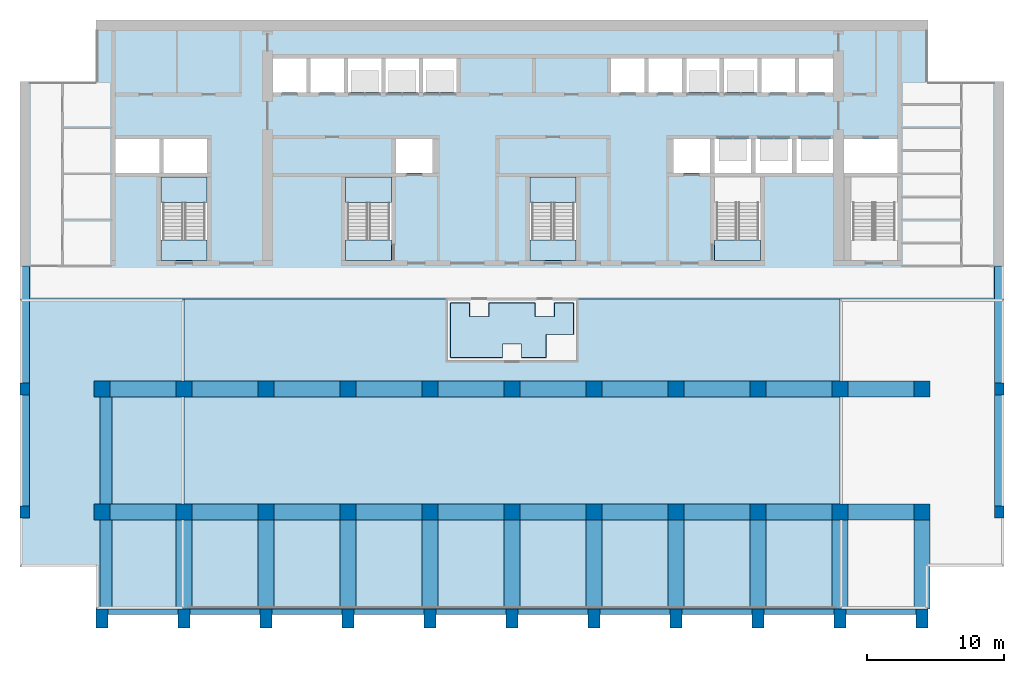
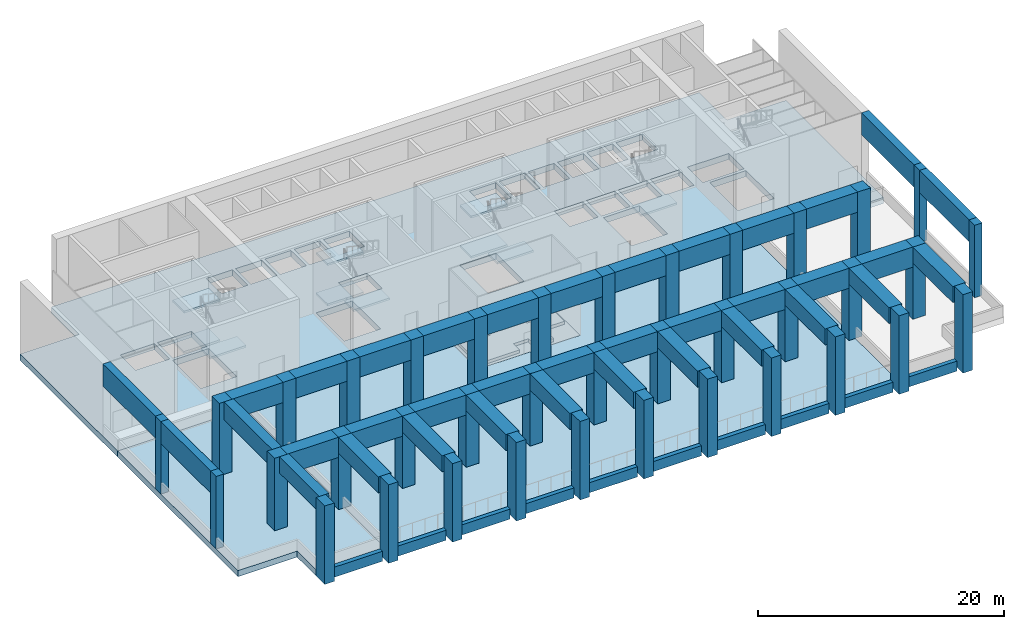
# One storey, part 1 of 10: 46 beams, 37 columns, 14 slabs, 4 elements without a shape of their own.
"""IFC4 building model written with IfcOpenShell, lengths in metres."""

import ifcopenshell
import ifcopenshell.guid

model = None  # the IFC model being written
_history = None  # IfcOwnerHistory: only IFC2X3 demands one
_inside = {}  # id of a spatial element -> (the spatial element, [elements in it])
_under = {}  # id of a project, library or spatial element -> (it, [spatial elements below it])
_declared = {}  # id of a project -> (the project, [libraries it declares])
_typed = {}  # id of a type object -> (the type object, [elements of that type])
_made_of = {}  # id of a material, layer set ... -> (it, [elements and type objects made of it])


def new_model(schema):
    """Start an empty IFC model of exactly this schema.

    Asked for "IFC4X3", IfcOpenShell would pick the latest addendum, in which some entities
    have other attributes; the version numbers below select the first issue.
    IFC2X3 requires an IfcOwnerHistory on every rooted entity: one is made here for all.
    """
    global model, _history
    if schema == "IFC4X3":
        model = ifcopenshell.file(schema_version=(4, 3, 0, 0))
    else:
        model = ifcopenshell.file(schema=schema)
    _inside.clear()
    _under.clear()
    _declared.clear()
    _typed.clear()
    _made_of.clear()
    _history = None
    if model.schema == "IFC2X3":
        org = make("IfcOrganization", Name="unknown")
        user = make(
            "IfcPersonAndOrganization",
            ThePerson=make("IfcPerson", FamilyName="unknown"),
            TheOrganization=org,
        )
        app = make(
            "IfcApplication",
            ApplicationDeveloper=org,
            Version="unknown",
            ApplicationFullName="unknown",
            ApplicationIdentifier="unknown",
        )
        _history = make(
            "IfcOwnerHistory",
            OwningUser=user,
            OwningApplication=app,
            ChangeAction="ADDED",
            CreationDate=0,
        )
    return model


def make(cls, **values):
    """One entity of the class cls with the attributes given. An attribute that is None is left unset."""
    return model.create_entity(
        cls, **{name: value for name, value in values.items() if value is not None}
    )


def rooted(cls, **values):
    """An entity with a GlobalId (a new one), such as an element, a storey or a relation."""
    return make(cls, GlobalId=ifcopenshell.guid.new(), OwnerHistory=_history, **values)


def si_unit(unit_type, name, prefix=None):
    """IfcSIUnit, for example si_unit("LENGTHUNIT", "METRE", prefix="MILLI")."""
    return make("IfcSIUnit", UnitType=unit_type, Prefix=prefix, Name=name)


def assignment(units):
    """IfcUnitAssignment: the units of a project."""
    return None if units is None else make("IfcUnitAssignment", Units=units)


def point(xyz):
    """IfcCartesianPoint."""
    return None if xyz is None else make("IfcCartesianPoint", Coordinates=xyz)


def direction(xyz):
    """IfcDirection."""
    return None if xyz is None else make("IfcDirection", DirectionRatios=xyz)


def frame(location, z_axis=None, x_axis=None):
    """IfcAxis2Placement3D, a coordinate frame: its origin and axes. An axis left out is left unset."""
    return make(
        "IfcAxis2Placement3D",
        Location=point(location),
        Axis=direction(z_axis),
        RefDirection=direction(x_axis),
    )


def frame_2d(location, x_axis=None):
    """IfcAxis2Placement2D, a coordinate frame in the plane: its origin and x axis."""
    return make(
        "IfcAxis2Placement2D", Location=point(location), RefDirection=direction(x_axis)
    )


def origin():
    """The frame at (0, 0, 0) with its axes left unset."""
    return frame((0.0, 0.0, 0.0))


def origin_2d():
    """The frame at (0, 0) in the plane with its x axis left unset."""
    return frame_2d((0.0, 0.0))


def place(relative_to, where):
    """IfcLocalPlacement: puts the frame where relative to a parent placement (None: the world)."""
    return make(
        "IfcLocalPlacement", PlacementRelTo=relative_to, RelativePlacement=where
    )


def context(
    kind, dimensions, precision=None, world=None, true_north=None, identifier=None
):
    """IfcGeometricRepresentationContext, for example the 3D "Model" context."""
    return make(
        "IfcGeometricRepresentationContext",
        ContextIdentifier=identifier,
        ContextType=kind,
        CoordinateSpaceDimension=dimensions,
        Precision=precision,
        WorldCoordinateSystem=world,
        TrueNorth=true_north,
    )


def subcontext(parent, identifier, kind, view, scale=None):
    """IfcGeometricRepresentationSubContext, for example "Body" below "Model"."""
    return make(
        "IfcGeometricRepresentationSubContext",
        ContextIdentifier=identifier,
        ContextType=kind,
        ParentContext=parent,
        TargetScale=scale,
        TargetView=view,
    )


def project(units=None, contexts=None):
    """IfcProject with its units and contexts."""
    return rooted(
        "IfcProject",
        Name="project",
        RepresentationContexts=contexts,
        UnitsInContext=assignment(units),
    )


def spatial(cls, under=None, at=None, **own):
    """A site, building, storey or space (cls), placed at a placement, below another one or the project."""
    s = rooted(cls, ObjectPlacement=at, **own)
    if under is not None:
        _under.setdefault(under.id(), (under, []))[1].append(s)
    return s


def polyline(points):
    """IfcPolyline through the points."""
    return make("IfcPolyline", Points=[point(p) for p in points])


def profile(cls, at=None, kind="AREA", **sizes):
    """A parametric profile (cls). Its sizes go by their IFC names, for example OverallWidth=200.0."""
    return make(cls, ProfileType=kind, Position=at, **sizes)


def rectangle(**sizes):
    """IfcRectangleProfileDef."""
    return profile("IfcRectangleProfileDef", **sizes)


def outline(outer, holes=None, kind="AREA"):
    """IfcArbitraryClosedProfileDef: a profile drawn as a closed curve; with holes, ...WithVoids."""
    if holes is None:
        return make("IfcArbitraryClosedProfileDef", ProfileType=kind, OuterCurve=outer)
    return make(
        "IfcArbitraryProfileDefWithVoids",
        ProfileType=kind,
        OuterCurve=outer,
        InnerCurves=holes,
    )


def extrude(swept, where, along, depth):
    """IfcExtrudedAreaSolid: the profile swept, set in the frame where, extruded along a direction by depth."""
    return make(
        "IfcExtrudedAreaSolid",
        SweptArea=swept,
        Position=where,
        ExtrudedDirection=direction(along),
        Depth=depth,
    )


def shape(context_of_items, identifier, shape_type, items):
    """IfcShapeRepresentation: the items that make up one representation, for example the "Body"."""
    return make(
        "IfcShapeRepresentation",
        ContextOfItems=context_of_items,
        RepresentationIdentifier=identifier,
        RepresentationType=shape_type,
        Items=items,
    )


def material(Name=None, Category=None):
    """IfcMaterial."""
    return make("IfcMaterial", Name=Name, Category=Category)


def layer(
    of_material, thickness, ventilated=None, Name=None, Category=None, Priority=None
):
    """IfcMaterialLayer: one layer of a wall or slab, of a material (None: an air gap)."""
    return make(
        "IfcMaterialLayer",
        Material=of_material,
        LayerThickness=thickness,
        IsVentilated=ventilated,
        Name=Name,
        Category=Category,
        Priority=Priority,
    )


def layer_set(layers, Name=None):
    """IfcMaterialLayerSet."""
    return make("IfcMaterialLayerSet", MaterialLayers=layers, LayerSetName=Name)


def material_profile(
    of_material, cross_section, Name=None, Category=None, Priority=None
):
    """IfcMaterialProfile: a cross section and its material."""
    return make(
        "IfcMaterialProfile",
        Name=Name,
        Material=of_material,
        Profile=cross_section,
        Priority=Priority,
        Category=Category,
    )


def profile_set(profiles, Name=None, composite=None):
    """IfcMaterialProfileSet."""
    return make(
        "IfcMaterialProfileSet",
        Name=Name,
        MaterialProfiles=profiles,
        CompositeProfile=composite,
    )


def made_of(thing, what):
    """Note that an element or type object is made of a material, layer set ...; save() writes the relation."""
    if what is not None:
        _made_of.setdefault(what.id(), (what, []))[1].append(thing)
    return thing


def type_object(cls, material=None, **own):
    """A type object (cls), such as IfcWallType, which elements share."""
    return made_of(rooted(cls, **own), material)


def element(
    cls,
    number,
    at=None,
    inside=None,
    cuts=None,
    type_object=None,
    material=None,
    context=None,
    identifier="Body",
    shape_type=None,
    held_by="IfcProductDefinitionShape",
    body=None,
    shapes=None,
    **own,
):
    """One element of the class cls, such as IfcWall. Its Tag is "e" and its number.

    at: its placement. inside: the storey or other place that contains it. cuts: it is an
    opening in that element (IfcRelVoidsElement). A single representation is given by context,
    identifier, shape_type and body (its items); several are given by shapes. held_by: the class
    of the entity that holds the representations. save() writes the other relations.
    """
    e = rooted(cls, Tag="e%d" % number, ObjectPlacement=at, **own)
    if body is not None:
        shapes = [shape(context, identifier, shape_type, body)]
    if shapes is not None:
        e.Representation = make(held_by, Representations=shapes)
    if inside is not None:
        _inside.setdefault(inside.id(), (inside, []))[1].append(e)
    if cuts is not None:
        rooted(
            "IfcRelVoidsElement", RelatingBuildingElement=cuts, RelatedOpeningElement=e
        )
    if type_object is not None:
        _typed.setdefault(type_object.id(), (type_object, []))[1].append(e)
    return made_of(e, material)


def aggregate(whole, parts):
    """IfcRelAggregates: a whole, such as a stair, and the parts it consists of."""
    return rooted("IfcRelAggregates", RelatingObject=whole, RelatedObjects=parts)


def save(model, path):
    """Write the relations noted so far, then the file.

    IfcRelAggregates (storeys below a building ...), IfcRelContainedInSpatialStructure (elements
    in a storey), IfcRelDefinesByType, IfcRelAssociatesMaterial and IfcRelDeclares: one each for
    every whole, place, type object, material and project.
    """
    for whole, parts in _under.values():
        aggregate(whole, parts)
    for where, things in _inside.values():
        rooted(
            "IfcRelContainedInSpatialStructure",
            RelatedElements=things,
            RelatingStructure=where,
        )
    for kind, things in _typed.values():
        rooted("IfcRelDefinesByType", RelatedObjects=things, RelatingType=kind)
    for what, things in _made_of.values():
        rooted("IfcRelAssociatesMaterial", RelatedObjects=things, RelatingMaterial=what)
    for by, libraries in _declared.values():
        rooted("IfcRelDeclares", RelatingContext=by, RelatedDefinitions=libraries)
    model.write(path)


model = new_model("IFC4")

# Units and contexts
model_context = context("Model", 3, precision=1e-05, world=origin(), true_north=direction((0.0, 1.0)))
body_context = subcontext(model_context, "Body", "Model", "MODEL_VIEW")
ifc_project = project(units=[si_unit("LENGTHUNIT", "METRE"), si_unit("AREAUNIT", "SQUARE_METRE"), si_unit("VOLUMEUNIT", "CUBIC_METRE"), si_unit("PLANEANGLEUNIT", "RADIAN"), si_unit("MASSUNIT", "GRAM", prefix="KILO")], contexts=[model_context])

# Site, building, storey
site_placement = place(None, origin())
site = spatial("IfcSite", under=ifc_project, at=site_placement, CompositionType="ELEMENT")
building_placement = place(site_placement, origin())
building = spatial("IfcBuilding", under=site, at=building_placement, Name="Calvaro Tower", CompositionType="ELEMENT")
storey_placement = place(building_placement, frame((0.0, 0.0, 158.75)))
storey = spatial("IfcBuildingStorey", under=building, at=storey_placement, Name="L40", CompositionType="ELEMENT", Elevation=158.75)

# Columns
ifc_material_1 = material(Name="Concrete C60/75", Category="concrete")
ifc_material_profile_1 = material_profile(ifc_material_1, rectangle(XDim=1.199951171875, YDim=1.199951171875, at=origin_2d()), Name="RC 1200x1200")
ifc_profile_set_1 = profile_set([ifc_material_profile_1], Name="Concrete C60/75")
column_type_1 = type_object("IfcColumnType", Name="Column 1200x1200 C60/75", PredefinedType="COLUMN", material=ifc_profile_set_1)
for number, where, z_axis, x_axis, name in (
    (1, (6.0, 10.0, 0.0), (0.0, 0.0, 1.0), (1.0, 0.0, 0.0), "Column 2B"),
    (2, (6.0, 19.0, 0.0), (0.0, 0.0, 1.0), (1.0, 0.0, 0.0), "Column 2C"),
    (3, (12.0, 10.0, 0.0), (0.0, 0.0, 1.0), (1.0, 0.0, 0.0), "Column 3B"),
    (4, (12.0, 19.0, 0.0), (0.0, 0.0, 1.0), (1.0, 0.0, 0.0), "Column 3C"),
    (5, (18.0, 10.0, 0.0), (0.0, 0.0, 1.0), (1.0, 0.0, 0.0), "Column 4B"),
    (6, (18.0, 19.0, 0.0), (0.0, 0.0, 1.0), (1.0, 0.0, 0.0), "Column 4C"),
    (7, (24.0, 10.0, 0.0), (0.0, 0.0, 1.0), (1.0, 0.0, 0.0), "Column 5B"),
    (8, (24.0, 19.0, 0.0), (0.0, 0.0, 1.0), (1.0, 0.0, 0.0), "Column 5C"),
    (9, (30.0, 10.0, 0.0), (0.0, 0.0, 1.0), (1.0, 0.0, 0.0), "Column 6B"),
    (10, (30.0, 19.0, 0.0), (0.0, 0.0, 1.0), (1.0, 0.0, 0.0), "Column 6C"),
    (11, (36.0, 10.0, 0.0), (0.0, 0.0, 1.0), (1.0, 0.0, 0.0), "Column 7B"),
    (12, (36.0, 19.0, 0.0), (0.0, 0.0, 1.0), (1.0, 0.0, 0.0), "Column 7C"),
    (13, (42.0, 10.0, 0.0), (0.0, 0.0, 1.0), (1.0, 0.0, 0.0), "Column 8B"),
    (14, (42.0, 19.0, 0.0), (0.0, 0.0, 1.0), (1.0, 0.0, 0.0), "Column 8C"),
    (15, (48.0, 10.0, 0.0), (0.0, 0.0, 1.0), (1.0, 0.0, 0.0), "Column 9B"),
    (16, (48.0, 19.0, 0.0), (0.0, 0.0, 1.0), (1.0, 0.0, 0.0), "Column 9C"),
    (17, (54.0, 10.0, 0.0), (0.0, 0.0, 1.0), (1.0, 0.0, 0.0), "Column 10B"),
    (18, (54.0, 19.0, 0.0), (0.0, 0.0, 1.0), (1.0, 0.0, 0.0), "Column 10C"),
    (19, (60.0, 10.0, 0.0), (0.0, 0.0, 1.0), (1.0, 0.0, 0.0), "Column 11B"),
    (20, (60.0, 19.0, 0.0), (0.0, 0.0, 1.0), (1.0, 0.0, 0.0), "Column 11C"),
    (21, (66.0, 10.0, 0.0), (0.0, 0.0, 1.0), (1.0, 0.0, 0.0), "Column 12B"),
    (22, (66.0, 19.0, 0.0), (0.0, 0.0, 1.0), (1.0, 0.0, 0.0), "Column 12C"),
):
    element("IfcColumn", number, at=place(storey_placement, frame(where, z_axis=z_axis, x_axis=x_axis)), inside=storey, type_object=column_type_1, Name=name, PredefinedType="COLUMN", context=body_context, shape_type="SweptSolid", body=[
        extrude(rectangle(XDim=1.199951171875, YDim=1.199951171875, at=origin_2d()), origin(), (0.0, 0.0, 1.0), 7.199951171875),
    ])
ifc_material_2 = material(Name="Concrete C60/75", Category="concrete")
ifc_material_profile_2 = material_profile(ifc_material_2, rectangle(XDim=0.89990234375, YDim=1.39990234375, at=origin_2d()), Name="RC 900x1400")
ifc_profile_set_2 = profile_set([ifc_material_profile_2], Name="Concrete C60/75")
column_type_2 = type_object("IfcColumnType", Name="Pier 900x1400 C60/75", PredefinedType="COLUMN", material=ifc_profile_set_2)
for number, where, z_axis, x_axis, name in (
    (23, (6.0, 2.199951171875, -0.60009765625), (0.0, 0.0, 1.0), (1.0, 0.0, 0.0), "South pier 2"),
    (24, (12.0, 2.199951171875, -0.60009765625), (0.0, 0.0, 1.0), (1.0, 0.0, 0.0), "South pier 3"),
    (25, (18.0, 2.199951171875, -0.60009765625), (0.0, 0.0, 1.0), (1.0, 0.0, 0.0), "South pier 4"),
    (26, (24.0, 2.199951171875, -0.60009765625), (0.0, 0.0, 1.0), (1.0, 0.0, 0.0), "South pier 5"),
    (27, (30.0, 2.199951171875, -0.60009765625), (0.0, 0.0, 1.0), (1.0, 0.0, 0.0), "South pier 6"),
    (28, (36.0, 2.199951171875, -0.60009765625), (0.0, 0.0, 1.0), (1.0, 0.0, 0.0), "South pier 7"),
    (29, (42.0, 2.199951171875, -0.60009765625), (0.0, 0.0, 1.0), (1.0, 0.0, 0.0), "South pier 8"),
    (30, (48.0, 2.199951171875, -0.60009765625), (0.0, 0.0, 1.0), (1.0, 0.0, 0.0), "South pier 9"),
    (31, (54.0, 2.199951171875, -0.60009765625), (0.0, 0.0, 1.0), (1.0, 0.0, 0.0), "South pier 10"),
    (32, (60.0, 2.199951171875, -0.60009765625), (0.0, 0.0, 1.0), (1.0, 0.0, 0.0), "South pier 11"),
    (33, (66.0, 2.199951171875, -0.60009765625), (0.0, 0.0, 1.0), (1.0, 0.0, 0.0), "South pier 12"),
):
    element("IfcColumn", number, at=place(storey_placement, frame(where, z_axis=z_axis, x_axis=x_axis)), inside=storey, type_object=column_type_2, Name=name, PredefinedType="COLUMN", context=body_context, shape_type="SweptSolid", body=[
        extrude(rectangle(XDim=0.89990234375, YDim=1.39990234375, at=origin_2d()), origin(), (0.0, 0.0, 1.0), 7.800048828125),
    ])
ifc_material_3 = material(Name="Concrete C60/75", Category="concrete")
ifc_material_profile_3 = material_profile(ifc_material_3, rectangle(XDim=0.699951171875, YDim=0.89990234375, at=origin_2d()), Name="RC 700x900")
ifc_profile_set_3 = profile_set([ifc_material_profile_3], Name="Concrete C60/75")
column_type_3 = type_object("IfcColumnType", Name="Portal column 700x900 C60/75", PredefinedType="COLUMN", material=ifc_profile_set_3)
for number, where, z_axis, x_axis, name in (
    (34, (0.35009765625, 10.0, 0.0), (0.0, 0.0, 1.0), (1.0, 0.0, 0.0), "Portal column B"),
    (35, (0.35009765625, 19.0, 0.0), (0.0, 0.0, 1.0), (1.0, 0.0, 0.0), "Portal column C"),
    (36, (71.64990234375, 10.0, 0.0), (0.0, 0.0, 1.0), (1.0, 0.0, 0.0), "Portal column B"),
    (37, (71.64990234375, 19.0, 0.0), (0.0, 0.0, 1.0), (1.0, 0.0, 0.0), "Portal column C"),
):
    element("IfcColumn", number, at=place(storey_placement, frame(where, z_axis=z_axis, x_axis=x_axis)), inside=storey, type_object=column_type_3, Name=name, PredefinedType="COLUMN", context=body_context, shape_type="SweptSolid", body=[
        extrude(rectangle(XDim=0.699951171875, YDim=0.89990234375, at=origin_2d()), origin(), (0.0, 0.0, 1.0), 7.199951171875),
    ])

# Beams
ifc_material_4 = material(Name="Concrete C60/75", Category="concrete")
ifc_material_profile_4 = material_profile(ifc_material_4, rectangle(XDim=1.199951171875, YDim=2.0, at=origin_2d()), Name="RC 1200x2000")
ifc_profile_set_4 = profile_set([ifc_material_profile_4], Name="Concrete C60/75")
beam_type_1 = type_object("IfcBeamType", Name="Belt girder 1200x2000 C60/75", PredefinedType="BEAM", material=ifc_profile_set_4)
for number, where, z_axis, x_axis, name in (
    (38, (6.60009765625, 10.0, 6.199951171875), (1.0, 0.0, 0.0), (0.0, 1.0, 0.0), "Belt girder"),
    (39, (12.60009765625, 10.0, 6.199951171875), (1.0, 0.0, 0.0), (0.0, 1.0, 0.0), "Belt girder"),
    (40, (18.60009765625, 10.0, 6.199951171875), (1.0, 0.0, 0.0), (0.0, 1.0, 0.0), "Belt girder"),
    (41, (24.60009765625, 10.0, 6.199951171875), (1.0, 0.0, 0.0), (0.0, 1.0, 0.0), "Belt girder"),
    (42, (30.60009765625, 10.0, 6.199951171875), (1.0, 0.0, 0.0), (0.0, 1.0, 0.0), "Belt girder"),
    (43, (36.60009765625, 10.0, 6.199951171875), (1.0, 0.0, 0.0), (0.0, 1.0, 0.0), "Belt girder"),
    (44, (42.60009765625, 10.0, 6.199951171875), (1.0, 0.0, 0.0), (0.0, 1.0, 0.0), "Belt girder"),
    (45, (48.60009765625, 10.0, 6.199951171875), (1.0, 0.0, 0.0), (0.0, 1.0, 0.0), "Belt girder"),
    (46, (54.60009765625, 10.0, 6.199951171875), (1.0, 0.0, 0.0), (0.0, 1.0, 0.0), "Belt girder"),
    (47, (60.60009765625, 10.0, 6.199951171875), (1.0, 0.0, 0.0), (0.0, 1.0, 0.0), "Belt girder"),
    (48, (6.60009765625, 19.0, 6.199951171875), (1.0, 0.0, 0.0), (0.0, 1.0, 0.0), "Belt girder"),
    (49, (12.60009765625, 19.0, 6.199951171875), (1.0, 0.0, 0.0), (0.0, 1.0, 0.0), "Belt girder"),
    (50, (18.60009765625, 19.0, 6.199951171875), (1.0, 0.0, 0.0), (0.0, 1.0, 0.0), "Belt girder"),
    (51, (24.60009765625, 19.0, 6.199951171875), (1.0, 0.0, 0.0), (0.0, 1.0, 0.0), "Belt girder"),
    (52, (30.60009765625, 19.0, 6.199951171875), (1.0, 0.0, 0.0), (0.0, 1.0, 0.0), "Belt girder"),
    (53, (36.60009765625, 19.0, 6.199951171875), (1.0, 0.0, 0.0), (0.0, 1.0, 0.0), "Belt girder"),
    (54, (42.60009765625, 19.0, 6.199951171875), (1.0, 0.0, 0.0), (0.0, 1.0, 0.0), "Belt girder"),
    (55, (48.60009765625, 19.0, 6.199951171875), (1.0, 0.0, 0.0), (0.0, 1.0, 0.0), "Belt girder"),
    (56, (54.60009765625, 19.0, 6.199951171875), (1.0, 0.0, 0.0), (0.0, 1.0, 0.0), "Belt girder"),
    (57, (60.60009765625, 19.0, 6.199951171875), (1.0, 0.0, 0.0), (0.0, 1.0, 0.0), "Belt girder"),
):
    element("IfcBeam", number, at=place(storey_placement, frame(where, z_axis=z_axis, x_axis=x_axis)), inside=storey, type_object=beam_type_1, Name=name, PredefinedType="BEAM", context=body_context, shape_type="SweptSolid", body=[
        extrude(rectangle(XDim=1.199951171875, YDim=2.0, at=origin_2d()), origin(), (0.0, 0.0, 1.0), 4.7998046875),
    ])
ifc_material_5 = material(Name="Concrete C60/75", Category="concrete")
ifc_material_profile_5 = material_profile(ifc_material_5, rectangle(XDim=0.699951171875, YDim=2.199951171875, at=origin_2d()), Name="RC 700x2200")
ifc_profile_set_5 = profile_set([ifc_material_profile_5], Name="Concrete C60/75")
beam_type_2 = type_object("IfcBeamType", Name="Portal lintel 700x2200 C60/75", PredefinedType="BEAM", material=ifc_profile_set_5)
beam_1_placement = place(storey_placement, frame((0.35009765625, 10.449951171875, 6.10009765625), z_axis=(0.0, 1.0, 0.0), x_axis=(-1.0, 0.0, 0.0)))
element("IfcBeam", 58, at=beam_1_placement, inside=storey, type_object=beam_type_2, Name="Portal lintel beam", PredefinedType="BEAM", context=body_context, shape_type="SweptSolid", body=[
    extrude(rectangle(XDim=0.699951171875, YDim=2.199951171875, at=origin_2d()), origin(), (0.0, 0.0, 1.0), 8.10009765625),
])
beam_2_placement = place(storey_placement, frame((0.35009765625, 19.449951171875, 6.10009765625), z_axis=(0.0, 1.0, 0.0), x_axis=(-1.0, 0.0, 0.0)))
element("IfcBeam", 59, at=beam_2_placement, inside=storey, type_object=beam_type_2, Name="Portal lintel beam", PredefinedType="BEAM", context=body_context, shape_type="SweptSolid", body=[
    extrude(rectangle(XDim=0.699951171875, YDim=2.199951171875, at=origin_2d()), origin(), (0.0, 0.0, 1.0), 8.550048828125),
])
beam_3_placement = place(storey_placement, frame((71.64990234375, 10.449951171875, 6.10009765625), z_axis=(0.0, 1.0, 0.0), x_axis=(-1.0, 0.0, 0.0)))
element("IfcBeam", 60, at=beam_3_placement, inside=storey, type_object=beam_type_2, Name="Portal lintel beam", PredefinedType="BEAM", context=body_context, shape_type="SweptSolid", body=[
    extrude(rectangle(XDim=0.699951171875, YDim=2.199951171875, at=origin_2d()), origin(), (0.0, 0.0, 1.0), 8.10009765625),
])
beam_4_placement = place(storey_placement, frame((71.64990234375, 19.449951171875, 6.10009765625), z_axis=(0.0, 1.0, 0.0), x_axis=(-1.0, 0.0, 0.0)))
element("IfcBeam", 61, at=beam_4_placement, inside=storey, type_object=beam_type_2, Name="Portal lintel beam", PredefinedType="BEAM", context=body_context, shape_type="SweptSolid", body=[
    extrude(rectangle(XDim=0.699951171875, YDim=2.199951171875, at=origin_2d()), origin(), (0.0, 0.0, 1.0), 8.550048828125),
])
ifc_material_6 = material(Name="Concrete C50/60 precast", Category="concrete")
ifc_material_profile_6 = material_profile(ifc_material_6, rectangle(XDim=0.39990234375, YDim=1.0, at=origin_2d()), Name="RC 400x1000")
ifc_profile_set_6 = profile_set([ifc_material_profile_6], Name="Concrete C50/60 precast")
beam_type_3 = type_object("IfcBeamType", Name="Spandrel beam 400x1000 C50/60", PredefinedType="SPANDREL", material=ifc_profile_set_6)
for number, where, z_axis, x_axis, name in (
    (62, (6.449951171875, 2.699951171875, -0.5), (1.0, 0.0, 0.0), (0.0, 1.0, 0.0), "Spandrel beam"),
    (63, (12.449951171875, 2.699951171875, -0.5), (1.0, 0.0, 0.0), (0.0, 1.0, 0.0), "Spandrel beam"),
    (64, (18.449951171875, 2.699951171875, -0.5), (1.0, 0.0, 0.0), (0.0, 1.0, 0.0), "Spandrel beam"),
    (65, (24.449951171875, 2.699951171875, -0.5), (1.0, 0.0, 0.0), (0.0, 1.0, 0.0), "Spandrel beam"),
    (66, (30.449951171875, 2.699951171875, -0.5), (1.0, 0.0, 0.0), (0.0, 1.0, 0.0), "Spandrel beam"),
    (67, (36.449951171875, 2.699951171875, -0.5), (1.0, 0.0, 0.0), (0.0, 1.0, 0.0), "Spandrel beam"),
    (68, (42.449951171875, 2.699951171875, -0.5), (1.0, 0.0, 0.0), (0.0, 1.0, 0.0), "Spandrel beam"),
    (69, (48.449951171875, 2.699951171875, -0.5), (1.0, 0.0, 0.0), (0.0, 1.0, 0.0), "Spandrel beam"),
    (70, (54.449951171875, 2.699951171875, -0.5), (1.0, 0.0, 0.0), (0.0, 1.0, 0.0), "Spandrel beam"),
    (71, (60.449951171875, 2.699951171875, -0.5), (1.0, 0.0, 0.0), (0.0, 1.0, 0.0), "Spandrel beam"),
):
    element("IfcBeam", number, at=place(storey_placement, frame(where, z_axis=z_axis, x_axis=x_axis)), inside=storey, type_object=beam_type_3, Name=name, PredefinedType="SPANDREL", context=body_context, shape_type="SweptSolid", body=[
        extrude(rectangle(XDim=0.39990234375, YDim=1.0, at=origin_2d()), origin(), (0.0, 0.0, 1.0), 5.10009765625),
    ])
ifc_material_7 = material(Name="Concrete C60/75", Category="concrete")
ifc_material_profile_7 = material_profile(ifc_material_7, rectangle(XDim=1.199951171875, YDim=1.60009765625, at=origin_2d()), Name="RC 1200x1600")
ifc_profile_set_7 = profile_set([ifc_material_profile_7], Name="Concrete C60/75")
beam_type_4 = type_object("IfcBeamType", Name="Transfer girder 1200x1600 C60/75", PredefinedType="BEAM", material=ifc_profile_set_7)
for number, where, z_axis, x_axis, name in (
    (72, (12.0, 2.89990234375, 6.39990234375), (0.0, 1.0, 0.0), (-1.0, 0.0, 0.0), "Transfer girder"),
    (73, (18.0, 2.89990234375, 6.39990234375), (0.0, 1.0, 0.0), (-1.0, 0.0, 0.0), "Transfer girder"),
    (74, (24.0, 2.89990234375, 6.39990234375), (0.0, 1.0, 0.0), (-1.0, 0.0, 0.0), "Transfer girder"),
    (75, (30.0, 2.89990234375, 6.39990234375), (0.0, 1.0, 0.0), (-1.0, 0.0, 0.0), "Transfer girder"),
    (76, (36.0, 2.89990234375, 6.39990234375), (0.0, 1.0, 0.0), (-1.0, 0.0, 0.0), "Transfer girder"),
    (77, (42.0, 2.89990234375, 6.39990234375), (0.0, 1.0, 0.0), (-1.0, 0.0, 0.0), "Transfer girder"),
    (78, (48.0, 2.89990234375, 6.39990234375), (0.0, 1.0, 0.0), (-1.0, 0.0, 0.0), "Transfer girder"),
    (79, (54.0, 2.89990234375, 6.39990234375), (0.0, 1.0, 0.0), (-1.0, 0.0, 0.0), "Transfer girder"),
    (80, (60.0, 2.89990234375, 6.39990234375), (0.0, 1.0, 0.0), (-1.0, 0.0, 0.0), "Transfer girder"),
    (81, (66.0, 2.89990234375, 6.39990234375), (0.0, 1.0, 0.0), (-1.0, 0.0, 0.0), "Transfer girder"),
):
    element("IfcBeam", number, at=place(storey_placement, frame(where, z_axis=z_axis, x_axis=x_axis)), inside=storey, type_object=beam_type_4, Name=name, PredefinedType="BEAM", context=body_context, shape_type="SweptSolid", body=[
        extrude(rectangle(XDim=1.199951171875, YDim=1.60009765625, at=origin_2d()), origin(), (0.0, 0.0, 1.0), 6.5),
    ])
ifc_material_8 = material(Name="Concrete C60/75", Category="concrete")
ifc_material_profile_8 = material_profile(ifc_material_8, rectangle(XDim=0.89990234375, YDim=1.60009765625, at=origin_2d()), Name="RC 900x1600")
ifc_profile_set_8 = profile_set([ifc_material_profile_8], Name="Concrete C60/75")
beam_type_5 = type_object("IfcBeamType", Name="Transfer girder 900x1600 C60/75", PredefinedType="BEAM", material=ifc_profile_set_8)
beam_5_placement = place(storey_placement, frame((6.300048828125, 2.89990234375, 6.39990234375), z_axis=(0.0, 1.0, 0.0), x_axis=(-1.0, 0.0, 0.0)))
element("IfcBeam", 82, at=beam_5_placement, inside=storey, type_object=beam_type_5, Name="Transfer girder", PredefinedType="BEAM", context=body_context, shape_type="SweptSolid", body=[
    extrude(rectangle(XDim=0.89990234375, YDim=1.60009765625, at=origin_2d()), origin(), (0.0, 0.0, 1.0), 6.5),
])
ifc_material_9 = material(Name="Concrete C60/75", Category="concrete")
ifc_material_profile_9 = material_profile(ifc_material_9, rectangle(XDim=0.89990234375, YDim=1.800048828125, at=origin_2d()), Name="RC 900x1800")
ifc_profile_set_9 = profile_set([ifc_material_profile_9], Name="Concrete C60/75")
beam_type_6 = type_object("IfcBeamType", Name="Transfer girder 900x1800 C60/75", PredefinedType="BEAM", material=ifc_profile_set_9)
beam_6_placement = place(storey_placement, frame((6.300048828125, 10.60009765625, 6.300048828125), z_axis=(0.0, 1.0, 0.0), x_axis=(-1.0, 0.0, 0.0)))
element("IfcBeam", 83, at=beam_6_placement, inside=storey, type_object=beam_type_6, Name="Transfer girder", PredefinedType="BEAM", context=body_context, shape_type="SweptSolid", body=[
    extrude(rectangle(XDim=0.89990234375, YDim=1.800048828125, at=origin_2d()), origin(), (0.0, 0.0, 1.0), 7.7998046875),
])

# Slabs
ifc_material_10 = material(Name="Concrete C40/50", Category="concrete")
ifc_layer_1 = layer(ifc_material_10, 0.60009765625)
ifc_layer_set_1 = layer_set([ifc_layer_1], Name="Concrete C40/50")
slab_type_1 = type_object("IfcSlabType", Name="Deck slab 600 C40/50", PredefinedType="FLOOR", material=ifc_layer_set_1)
slab_1_placement = place(storey_placement, frame((0.0, 0.0, -0.60009765625)))
element("IfcSlab", 84, at=slab_1_placement, inside=storey, type_object=slab_type_1, Name="Deck slab", PredefinedType="FLOOR", context=body_context, shape_type="SweptSolid", body=[
    extrude(outline(polyline([(31.199951171875, 25.60009765625), (31.199951171875, 21.0), (40.800048828125, 21.0), (40.800048828125, 25.60009765625), (60.0, 25.60009765625), (60.0, 2.89990234375), (12.0, 2.89990234375), (12.0, 25.60009765625), (31.199951171875, 25.60009765625)])), origin(), (0.0, 0.0, 1.0), 0.60009765625),
])
ifc_material_11 = material(Name="Concrete C40/50", Category="concrete")
ifc_layer_2 = layer(ifc_material_11, 0.60009765625)
ifc_layer_set_2 = layer_set([ifc_layer_2], Name="Concrete C40/50")
slab_type_2 = type_object("IfcSlabType", Name="Floor slab 600 C40/50", PredefinedType="FLOOR", material=ifc_layer_set_2)
slab_2_placement = place(storey_placement, frame((0.0, 0.0, -0.60009765625)))
element("IfcSlab", 85, at=slab_2_placement, inside=storey, type_object=slab_type_2, Name="Floor slab", PredefinedType="FLOOR", context=body_context, shape_type="SweptSolid", body=[
    extrude(outline(polyline([(0.0, 41.5), (5.550048828125, 41.5), (5.550048828125, 46.0), (66.449951171875, 46.0), (66.449951171875, 41.5), (72.0, 41.5), (72.0, 25.60009765625), (40.800048828125, 25.60009765625), (40.800048828125, 21.0), (31.199951171875, 21.0), (31.199951171875, 25.60009765625), (0.0, 25.60009765625), (0.0, 41.5)]), holes=[polyline([(10.300048828125, 29.909912109375), (10.300048828125, 34.5), (12.0, 34.5), (13.699951171875, 34.5), (13.699951171875, 29.909912109375), (12.0, 29.909912109375), (10.300048828125, 29.909912109375)]), polyline([(23.800048828125, 29.909912109375), (23.800048828125, 34.5), (25.5, 34.5), (27.199951171875, 34.5), (27.199951171875, 29.909912109375), (25.5, 29.909912109375), (23.800048828125, 29.909912109375)]), polyline([(37.300048828125, 29.909912109375), (37.300048828125, 34.5), (39.0, 34.5), (40.699951171875, 34.5), (40.699951171875, 29.909912109375), (39.0, 29.909912109375), (37.300048828125, 29.909912109375)]), polyline([(50.800048828125, 29.909912109375), (50.800048828125, 34.5), (52.5, 34.5), (54.199951171875, 34.5), (54.199951171875, 29.909912109375), (52.5, 29.909912109375), (50.800048828125, 29.909912109375)]), polyline([(60.800048828125, 29.909912109375), (60.800048828125, 34.5), (62.5, 34.5), (64.199951171875, 34.5), (64.199951171875, 29.909912109375), (62.5, 29.909912109375), (60.800048828125, 29.909912109375)]), polyline([(50.800048828125, 34.800048828125), (53.5, 34.800048828125), (53.5, 37.300048828125), (50.800048828125, 37.300048828125), (50.800048828125, 34.800048828125)]), polyline([(53.800048828125, 34.800048828125), (56.5, 34.800048828125), (56.5, 37.300048828125), (53.800048828125, 37.300048828125), (53.800048828125, 34.800048828125)]), polyline([(56.800048828125, 34.800048828125), (59.5, 34.800048828125), (59.5, 37.300048828125), (56.800048828125, 37.300048828125), (56.800048828125, 34.800048828125)]), polyline([(18.5, 40.699951171875), (20.949951171875, 40.699951171875), (20.949951171875, 43.199951171875), (18.5, 43.199951171875), (18.5, 40.699951171875)]), polyline([(21.25, 40.699951171875), (23.699951171875, 40.699951171875), (23.699951171875, 43.199951171875), (21.25, 43.199951171875), (21.25, 40.699951171875)]), polyline([(24.0, 40.699951171875), (26.449951171875, 40.699951171875), (26.449951171875, 43.199951171875), (24.0, 43.199951171875), (24.0, 40.699951171875)]), polyline([(26.75, 40.699951171875), (29.199951171875, 40.699951171875), (29.199951171875, 43.199951171875), (26.75, 43.199951171875), (26.75, 40.699951171875)]), polyline([(29.5, 40.699951171875), (31.949951171875, 40.699951171875), (31.949951171875, 43.199951171875), (29.5, 43.199951171875), (29.5, 40.699951171875)]), polyline([(43.25, 40.699951171875), (45.699951171875, 40.699951171875), (45.699951171875, 43.199951171875), (43.25, 43.199951171875), (43.25, 40.699951171875)]), polyline([(46.0, 40.699951171875), (48.449951171875, 40.699951171875), (48.449951171875, 43.199951171875), (46.0, 43.199951171875), (46.0, 40.699951171875)]), polyline([(48.75, 40.699951171875), (51.199951171875, 40.699951171875), (51.199951171875, 43.199951171875), (48.75, 43.199951171875), (48.75, 40.699951171875)]), polyline([(51.5, 40.699951171875), (53.949951171875, 40.699951171875), (53.949951171875, 43.199951171875), (51.5, 43.199951171875), (51.5, 40.699951171875)]), polyline([(54.25, 40.699951171875), (56.699951171875, 40.699951171875), (56.699951171875, 43.199951171875), (54.25, 43.199951171875), (54.25, 40.699951171875)]), polyline([(57.0, 40.699951171875), (59.5, 40.699951171875), (59.5, 43.199951171875), (57.0, 43.199951171875), (57.0, 40.699951171875)]), polyline([(7.0, 34.800048828125), (10.199951171875, 34.800048828125), (10.199951171875, 37.300048828125), (7.0, 37.300048828125), (7.0, 34.800048828125)]), polyline([(10.5, 34.800048828125), (13.699951171875, 34.800048828125), (13.699951171875, 37.300048828125), (10.5, 37.300048828125), (10.5, 34.800048828125)]), polyline([(60.300048828125, 34.800048828125), (64.199951171875, 34.800048828125), (64.199951171875, 37.300048828125), (60.300048828125, 37.300048828125), (60.300048828125, 34.800048828125)]), polyline([(27.5, 34.800048828125), (30.199951171875, 34.800048828125), (30.199951171875, 37.300048828125), (27.5, 37.300048828125), (27.5, 34.800048828125)]), polyline([(47.800048828125, 34.800048828125), (50.5, 34.800048828125), (50.5, 37.300048828125), (47.800048828125, 37.300048828125), (47.800048828125, 34.800048828125)])]), origin(), (0.0, 0.0, 1.0), 0.60009765625),
])
ifc_material_12 = material(Name="Concrete C40/50", Category="concrete")
ifc_layer_3 = layer(ifc_material_12, 0.60009765625)
ifc_layer_set_3 = layer_set([ifc_layer_3], Name="Concrete C40/50")
slab_type_3 = type_object("IfcSlabType", Name="Maintenance roof slab 600 C40/50", PredefinedType="ROOF", material=ifc_layer_set_3)
slab_3_placement = place(storey_placement, frame((0.0, 0.0, -0.60009765625)))
element("IfcSlab", 86, at=slab_3_placement, inside=storey, type_object=slab_type_3, Name="Maintenance roof slab", PredefinedType="ROOF", context=body_context, shape_type="SweptSolid", body=[
    extrude(outline(polyline([(5.550048828125, 6.0), (0.0, 6.0), (0.0, 25.60009765625), (12.0, 25.60009765625), (12.0, 2.89990234375), (5.550048828125, 2.89990234375), (5.550048828125, 6.0)])), origin(), (0.0, 0.0, 1.0), 0.60009765625),
])
ifc_material_13 = material(Name="Concrete C32/40", Category="concrete")
ifc_layer_4 = layer(ifc_material_13, 0.300048828125)
ifc_layer_set_4 = layer_set([ifc_layer_4], Name="Concrete C32/40")
slab_type_4 = type_object("IfcSlabType", Name="Raised floor slab", PredefinedType="FLOOR", material=ifc_layer_set_4)
slab_4_placement = place(storey_placement, origin())
element("IfcSlab", 87, at=slab_4_placement, inside=storey, type_object=slab_type_4, Name="Sky lounge dais", PredefinedType="FLOOR", context=body_context, shape_type="SweptSolid", body=[
    extrude(outline(polyline([(32.89990234375, 25.300048828125), (32.89990234375, 24.300048828125), (34.300048828125, 24.300048828125), (34.300048828125, 25.300048828125), (37.699951171875, 25.300048828125), (37.699951171875, 24.300048828125), (39.10009765625, 24.300048828125), (39.10009765625, 25.300048828125), (40.5, 25.300048828125), (40.5, 23.0), (38.5, 23.0), (38.5, 21.300048828125), (36.699951171875, 21.300048828125), (36.699951171875, 22.300048828125), (35.300048828125, 22.300048828125), (35.300048828125, 21.300048828125), (31.5, 21.300048828125), (31.5, 25.300048828125), (32.89990234375, 25.300048828125)])), origin(), (0.0, 0.0, 1.0), 0.300048828125),
])

# Stair, slabs
ifc_material_14 = material(Name="Concrete C40/50", Category="concrete")
stair_type = type_object("IfcStairType", Name="Exit stair 1400 4 flights", PredefinedType="DOUBLE_RETURN_STAIR", material=ifc_material_14)
stair_1_placement = place(storey_placement, origin())
stair_1 = element("IfcStair", 88, at=stair_1_placement, inside=storey, type_object=stair_type, Name="Exit stair S1", PredefinedType="DOUBLE_RETURN_STAIR")
ifc_material_15 = material(Name="Concrete C40/50", Category="concrete")
ifc_layer_5 = layer(ifc_material_15, 0.199951171875)
ifc_layer_set_5 = layer_set([ifc_layer_5], Name="Concrete C40/50")
slab_type_5 = type_object("IfcSlabType", Name="Stair landing", PredefinedType="LANDING", material=ifc_layer_set_5)
slab_5_placement = place(storey_placement, frame((0.0, 0.0, 1.800048828125)))
slab_5 = element("IfcSlab", 89, at=slab_5_placement, type_object=slab_type_5, Name="Exit stair 1, landing 1", PredefinedType="LANDING", context=body_context, shape_type="SweptSolid", body=[
    extrude(outline(polyline([(11.89990234375, 32.639892578125), (10.5, 32.639892578125), (10.5, 32.64990234375), (10.300048828125, 32.64990234375), (10.300048828125, 34.5), (10.5, 34.5), (11.89990234375, 34.5), (12.10009765625, 34.5), (13.5, 34.5), (13.699951171875, 34.5), (13.699951171875, 32.64990234375), (13.5, 32.64990234375), (13.5, 32.639892578125), (12.10009765625, 32.639892578125), (12.10009765625, 32.64990234375), (11.89990234375, 32.64990234375), (11.89990234375, 32.639892578125)])), origin(), (0.0, 0.0, 1.0), 0.199951171875),
])
slab_6_placement = place(storey_placement, frame((0.0, 0.0, 3.800048828125)))
slab_6 = element("IfcSlab", 90, at=slab_6_placement, type_object=slab_type_5, Name="Exit stair 1, landing 2", PredefinedType="LANDING", context=body_context, shape_type="SweptSolid", body=[
    extrude(outline(polyline([(13.699951171875, 29.909912109375), (13.699951171875, 28.39990234375), (10.300048828125, 28.39990234375), (10.300048828125, 29.909912109375), (10.5, 29.909912109375), (11.89990234375, 29.909912109375), (13.699951171875, 29.909912109375)])), origin(), (0.0, 0.0, 1.0), 0.199951171875),
])
slab_7_placement = place(storey_placement, frame((0.0, 0.0, 5.800048828125)))
slab_7 = element("IfcSlab", 91, at=slab_7_placement, type_object=slab_type_5, Name="Exit stair 1, landing 3", PredefinedType="LANDING", context=body_context, shape_type="SweptSolid", body=[
    extrude(outline(polyline([(11.89990234375, 32.639892578125), (10.5, 32.639892578125), (10.5, 32.64990234375), (10.300048828125, 32.64990234375), (10.300048828125, 34.5), (10.5, 34.5), (11.89990234375, 34.5), (12.10009765625, 34.5), (13.5, 34.5), (13.699951171875, 34.5), (13.699951171875, 32.64990234375), (13.5, 32.64990234375), (13.5, 32.639892578125), (12.10009765625, 32.639892578125), (12.10009765625, 32.64990234375), (11.89990234375, 32.64990234375), (11.89990234375, 32.639892578125)])), origin(), (0.0, 0.0, 1.0), 0.199951171875),
])
aggregate(stair_1, [slab_5, slab_6, slab_7])

stair_2_placement = place(storey_placement, origin())
stair_2 = element("IfcStair", 92, at=stair_2_placement, inside=storey, type_object=stair_type, Name="Exit stair S2", PredefinedType="DOUBLE_RETURN_STAIR")
slab_8_placement = place(storey_placement, frame((0.0, 0.0, 1.800048828125)))
slab_8 = element("IfcSlab", 93, at=slab_8_placement, type_object=slab_type_5, Name="Exit stair 2, landing 1", PredefinedType="LANDING", context=body_context, shape_type="SweptSolid", body=[
    extrude(outline(polyline([(25.39990234375, 32.639892578125), (24.0, 32.639892578125), (24.0, 32.64990234375), (23.800048828125, 32.64990234375), (23.800048828125, 34.5), (24.0, 34.5), (25.39990234375, 34.5), (25.60009765625, 34.5), (27.0, 34.5), (27.199951171875, 34.5), (27.199951171875, 32.64990234375), (27.0, 32.64990234375), (27.0, 32.639892578125), (25.60009765625, 32.639892578125), (25.60009765625, 32.64990234375), (25.39990234375, 32.64990234375), (25.39990234375, 32.639892578125)])), origin(), (0.0, 0.0, 1.0), 0.199951171875),
])
slab_9_placement = place(storey_placement, frame((0.0, 0.0, 3.800048828125)))
slab_9 = element("IfcSlab", 94, at=slab_9_placement, type_object=slab_type_5, Name="Exit stair 2, landing 2", PredefinedType="LANDING", context=body_context, shape_type="SweptSolid", body=[
    extrude(outline(polyline([(27.199951171875, 29.909912109375), (27.199951171875, 28.39990234375), (23.800048828125, 28.39990234375), (23.800048828125, 29.909912109375), (24.0, 29.909912109375), (25.39990234375, 29.909912109375), (27.199951171875, 29.909912109375)])), origin(), (0.0, 0.0, 1.0), 0.199951171875),
])
slab_10_placement = place(storey_placement, frame((0.0, 0.0, 5.800048828125)))
slab_10 = element("IfcSlab", 95, at=slab_10_placement, type_object=slab_type_5, Name="Exit stair 2, landing 3", PredefinedType="LANDING", context=body_context, shape_type="SweptSolid", body=[
    extrude(outline(polyline([(25.39990234375, 32.639892578125), (24.0, 32.639892578125), (24.0, 32.64990234375), (23.800048828125, 32.64990234375), (23.800048828125, 34.5), (24.0, 34.5), (25.39990234375, 34.5), (25.60009765625, 34.5), (27.0, 34.5), (27.199951171875, 34.5), (27.199951171875, 32.64990234375), (27.0, 32.64990234375), (27.0, 32.639892578125), (25.60009765625, 32.639892578125), (25.60009765625, 32.64990234375), (25.39990234375, 32.64990234375), (25.39990234375, 32.639892578125)])), origin(), (0.0, 0.0, 1.0), 0.199951171875),
])
aggregate(stair_2, [slab_8, slab_9, slab_10])

stair_3_placement = place(storey_placement, origin())
stair_3 = element("IfcStair", 96, at=stair_3_placement, inside=storey, type_object=stair_type, Name="Exit stair S3", PredefinedType="DOUBLE_RETURN_STAIR")
slab_11_placement = place(storey_placement, frame((0.0, 0.0, 1.800048828125)))
slab_11 = element("IfcSlab", 97, at=slab_11_placement, type_object=slab_type_5, Name="Exit stair 3, landing 1", PredefinedType="LANDING", context=body_context, shape_type="SweptSolid", body=[
    extrude(outline(polyline([(38.89990234375, 32.639892578125), (37.5, 32.639892578125), (37.5, 32.64990234375), (37.300048828125, 32.64990234375), (37.300048828125, 34.5), (37.5, 34.5), (38.89990234375, 34.5), (39.10009765625, 34.5), (40.5, 34.5), (40.699951171875, 34.5), (40.699951171875, 32.64990234375), (40.5, 32.64990234375), (40.5, 32.639892578125), (39.10009765625, 32.639892578125), (39.10009765625, 32.64990234375), (38.89990234375, 32.64990234375), (38.89990234375, 32.639892578125)])), origin(), (0.0, 0.0, 1.0), 0.199951171875),
])
slab_12_placement = place(storey_placement, frame((0.0, 0.0, 3.800048828125)))
slab_12 = element("IfcSlab", 98, at=slab_12_placement, type_object=slab_type_5, Name="Exit stair 3, landing 2", PredefinedType="LANDING", context=body_context, shape_type="SweptSolid", body=[
    extrude(outline(polyline([(40.699951171875, 29.909912109375), (40.699951171875, 28.39990234375), (37.300048828125, 28.39990234375), (37.300048828125, 29.909912109375), (37.5, 29.909912109375), (38.89990234375, 29.909912109375), (40.699951171875, 29.909912109375)])), origin(), (0.0, 0.0, 1.0), 0.199951171875),
])
slab_13_placement = place(storey_placement, frame((0.0, 0.0, 5.800048828125)))
slab_13 = element("IfcSlab", 99, at=slab_13_placement, type_object=slab_type_5, Name="Exit stair 3, landing 3", PredefinedType="LANDING", context=body_context, shape_type="SweptSolid", body=[
    extrude(outline(polyline([(38.89990234375, 32.639892578125), (37.5, 32.639892578125), (37.5, 32.64990234375), (37.300048828125, 32.64990234375), (37.300048828125, 34.5), (37.5, 34.5), (38.89990234375, 34.5), (39.10009765625, 34.5), (40.5, 34.5), (40.699951171875, 34.5), (40.699951171875, 32.64990234375), (40.5, 32.64990234375), (40.5, 32.639892578125), (39.10009765625, 32.639892578125), (39.10009765625, 32.64990234375), (38.89990234375, 32.64990234375), (38.89990234375, 32.639892578125)])), origin(), (0.0, 0.0, 1.0), 0.199951171875),
])
aggregate(stair_3, [slab_11, slab_12, slab_13])

# Stair, slab
stair_4_placement = place(storey_placement, origin())
stair_4 = element("IfcStair", 100, at=stair_4_placement, inside=storey, type_object=stair_type, Name="Exit stair S4", PredefinedType="DOUBLE_RETURN_STAIR")
slab_14_placement = place(storey_placement, frame((0.0, 0.0, 3.800048828125)))
slab_14 = element("IfcSlab", 101, at=slab_14_placement, type_object=slab_type_5, Name="Exit stair 4, landing 2", PredefinedType="LANDING", context=body_context, shape_type="SweptSolid", body=[
    extrude(outline(polyline([(54.199951171875, 29.909912109375), (54.199951171875, 28.39990234375), (50.800048828125, 28.39990234375), (50.800048828125, 29.909912109375), (51.0, 29.909912109375), (52.39990234375, 29.909912109375), (54.199951171875, 29.909912109375)])), origin(), (0.0, 0.0, 1.0), 0.199951171875),
])
aggregate(stair_4, [slab_14])

save(model, "model.ifc")
